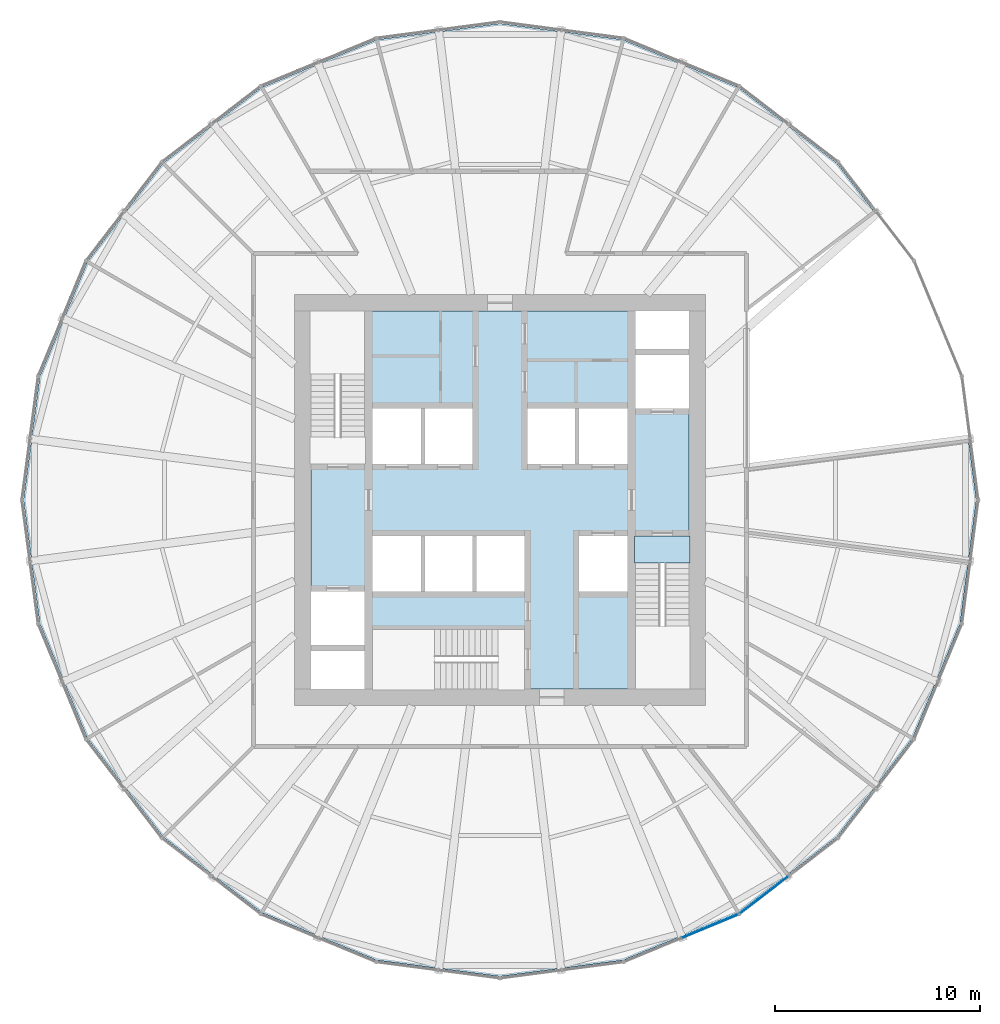
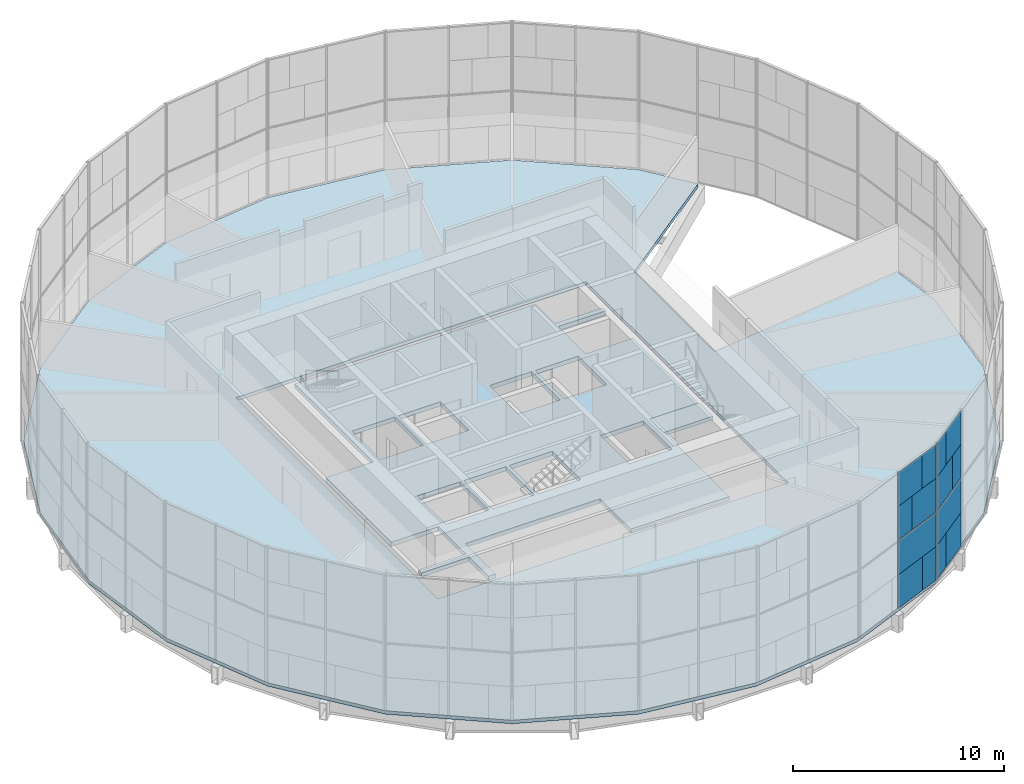
# One storey, part 11 of 18: 14 plates, 3 slabs, 2 elements without a shape of their own.
"""IFC4 building model written with IfcOpenShell, lengths in metres."""

from ifc_helpers import new_model, si_unit, direction, frame, origin, origin_2d, place, context, subcontext, project, spatial, polyline, rectangle, outline, extrude, material, layer, layer_set, type_object, element, aggregate, save


model = new_model("IFC4")

# Units and contexts
model_context = context("Model", 3, precision=1e-05, world=origin(), true_north=direction((0.0, 1.0)))
body_context = subcontext(model_context, "Body", "Model", "MODEL_VIEW")
ifc_project = project(units=[si_unit("LENGTHUNIT", "METRE"), si_unit("AREAUNIT", "SQUARE_METRE"), si_unit("VOLUMEUNIT", "CUBIC_METRE"), si_unit("PLANEANGLEUNIT", "RADIAN"), si_unit("MASSUNIT", "GRAM", prefix="KILO")], contexts=[model_context])

# Site, building, storey
site_placement = place(None, origin())
site = spatial("IfcSite", under=ifc_project, at=site_placement, CompositionType="ELEMENT")
building_placement = place(site_placement, origin())
building = spatial("IfcBuilding", under=site, at=building_placement, Name="Golbaran Civic Tower", CompositionType="ELEMENT")
storey_placement = place(building_placement, frame((0.0, 0.0, 45.0)))
storey = spatial("IfcBuildingStorey", under=building, at=storey_placement, Name="L10", CompositionType="ELEMENT", Elevation=45.0)

# Slabs
ifc_material_1 = material(Name="Concrete LC30/33 lightweight on steel deck", Category="concrete")
ifc_layer_1 = layer(ifc_material_1, 0.199951171875, Name="Concrete LC30/33 lightweight on steel deck")
ifc_layer_set_1 = layer_set([ifc_layer_1], Name="Concrete LC30/33 lightweight on steel deck")
slab_type_1 = type_object("IfcSlabType", Name="COMPOSITE FLOOR SLAB 200", PredefinedType="FLOOR", material=ifc_layer_set_1)
slab_1_placement = place(storey_placement, frame((0.0, 0.0, -0.199951171875)))
element("IfcSlab", 1, at=slab_1_placement, inside=storey, type_object=slab_type_1, Name="Floor slab L10", PredefinedType="FLOOR", context=body_context, shape_type="SweptSolid", body=[
    extrude(outline(polyline([(16.39794921875, -16.39794921875), (11.59521484375, -20.08349609375), (6.002197265625, -22.400146484375), (0.0, -23.1904296875), (-6.002197265625, -22.400146484375), (-11.59521484375, -20.08349609375), (-16.39794921875, -16.39794921875), (-20.08349609375, -11.59521484375), (-22.400146484375, -6.002197265625), (-23.1904296875, 0.0), (-22.400146484375, 6.002197265625), (-20.08349609375, 11.59521484375), (-16.39794921875, 16.39794921875), (-11.59521484375, 20.08349609375), (-6.002197265625, 22.400146484375), (0.0, 23.1904296875), (6.002197265625, 22.400146484375), (11.59521484375, 20.08349609375), (16.39794921875, 16.39794921875), (18.264892578125, 13.965087890625), (12.0, 9.175048828125), (12.0, 1.558837890625), (22.80029296875, 2.961669921875), (23.1904296875, 0.0), (22.400146484375, -6.002197265625), (20.08349609375, -11.59521484375), (16.39794921875, -16.39794921875)]), holes=[polyline([(-9.60009765625, -9.60009765625), (9.60009765625, -9.60009765625), (9.60009765625, 9.60009765625), (-9.60009765625, 9.60009765625), (-9.60009765625, -9.60009765625)])]), origin(), (0.0, 0.0, 1.0), 0.199951171875),
])
ifc_material_2 = material(Name="Concrete C35/45", Category="concrete")
ifc_layer_2 = layer(ifc_material_2, 0.25, Name="Concrete C35/45")
ifc_layer_set_2 = layer_set([ifc_layer_2], Name="Concrete C35/45")
slab_type_2 = type_object("IfcSlabType", Name="CORE FLOOR SLAB 250", PredefinedType="FLOOR", material=ifc_layer_set_2)
slab_2_placement = place(storey_placement, frame((0.0, 0.0, -0.25)))
element("IfcSlab", 2, at=slab_2_placement, inside=storey, type_object=slab_type_2, Name="Core floor slab L10", PredefinedType="FLOOR", context=body_context, shape_type="SweptSolid", body=[
    extrude(outline(polyline([(6.60009765625, -1.75), (6.60009765625, -9.199951171875), (1.199951171875, -9.199951171875), (1.199951171875, -6.300048828125), (-6.199951171875, -6.300048828125), (-6.199951171875, -9.199951171875), (-6.60009765625, -9.199951171875), (-6.60009765625, -7.35009765625), (-9.199951171875, -7.35009765625), (-9.199951171875, -7.050048828125), (-6.60009765625, -7.050048828125), (-6.60009765625, -4.449951171875), (-9.199951171875, -4.449951171875), (-9.199951171875, 1.75), (-6.60009765625, 1.75), (-6.60009765625, 9.199951171875), (6.60009765625, 9.199951171875), (6.60009765625, 7.35009765625), (9.199951171875, 7.35009765625), (9.199951171875, 7.050048828125), (6.60009765625, 7.050048828125), (6.60009765625, 4.449951171875), (9.199951171875, 4.449951171875), (9.199951171875, -1.75), (6.60009765625, -1.75)]), holes=[polyline([(6.199951171875, -1.75), (3.85009765625, -1.75), (3.85009765625, -4.449951171875), (6.199951171875, -4.449951171875), (6.199951171875, -1.75)]), polyline([(6.199951171875, 4.449951171875), (3.85009765625, 4.449951171875), (3.85009765625, 1.75), (6.199951171875, 1.75), (6.199951171875, 4.449951171875)]), polyline([(3.64990234375, 4.449951171875), (1.35009765625, 4.449951171875), (1.35009765625, 1.75), (3.64990234375, 1.75), (3.64990234375, 4.449951171875)]), polyline([(1.199951171875, -1.75), (-1.14990234375, -1.75), (-1.14990234375, -4.449951171875), (1.199951171875, -4.449951171875), (1.199951171875, -1.75)]), polyline([(-1.35009765625, 4.449951171875), (-3.64990234375, 4.449951171875), (-3.64990234375, 1.75), (-1.35009765625, 1.75), (-1.35009765625, 4.449951171875)]), polyline([(-1.35009765625, -1.75), (-3.64990234375, -1.75), (-3.64990234375, -4.449951171875), (-1.35009765625, -4.449951171875), (-1.35009765625, -1.75)]), polyline([(-3.85009765625, -1.75), (-6.199951171875, -1.75), (-6.199951171875, -4.449951171875), (-3.85009765625, -4.449951171875), (-3.85009765625, -1.75)]), polyline([(-3.85009765625, 4.449951171875), (-6.199951171875, 4.449951171875), (-6.199951171875, 1.75), (-3.85009765625, 1.75), (-3.85009765625, 4.449951171875)])]), origin(), (0.0, 0.0, 1.0), 0.25),
])

# Curtain wall, plates
ifc_material_3 = material(Name="Aluminium and glass", Category="aluminium")
curtain_wall_type = type_object("IfcCurtainWallType", Name="INNER SKIN CURTAIN WALL", PredefinedType="NOTDEFINED", material=ifc_material_3)
curtain_wall_1_placement = place(storey_placement, origin())
curtain_wall_1 = element("IfcCurtainWall", 3, at=curtain_wall_1_placement, inside=storey, type_object=curtain_wall_type, Name="Inner skin L10 facet 20 CW1", ObjectType="INNER SKIN", PredefinedType="USERDEFINED")
ifc_material_4 = material(Name="Clear insulating glass", Category="glass")
ifc_layer_3 = layer(ifc_material_4, 0.031982421875, Name="Clear insulating glass")
ifc_layer_set_3 = layer_set([ifc_layer_3], Name="Clear insulating glass")
plate_type_1 = type_object("IfcPlateType", Name="INNER SKIN CURTAIN WALL GLAZED PANEL", PredefinedType="CURTAIN_PANEL", material=ifc_layer_set_3)
plate_1_placement = place(storey_placement, frame((11.086181640625, -20.380859375, 0.06494140625), z_axis=(0.0, 0.0, 1.0), x_axis=(0.923879532451, 0.38268343251, 0.0)))
plate_1 = element("IfcPlate", 4, at=plate_1_placement, type_object=plate_type_1, Name="CW1 panel 2.1 part 2", PredefinedType="CURTAIN_PANEL", context=body_context, shape_type="SweptSolid", body=[
    extrude(rectangle(XDim=1.05908203125, YDim=0.031982421875, at=origin_2d()), origin(), (0.0, 0.0, 1.0), 1.951171875),
])
plate_2_placement = place(storey_placement, frame((9.359130859375, -21.09619140625, 4.032470703125), z_axis=(0.0, 0.0, 1.0), x_axis=(0.923879532451, 0.38268343251, 0.0)))
plate_2 = element("IfcPlate", 5, at=plate_2_placement, type_object=plate_type_1, Name="CW1 panel 2.2 part 1", PredefinedType="CURTAIN_PANEL", context=body_context, shape_type="SweptSolid", body=[
    extrude(rectangle(XDim=1.08203125, YDim=0.031982421875, at=origin_2d()), origin(), (0.0, 0.0, 1.0), 1.951171875),
])
plate_3_placement = place(storey_placement, frame((9.717041015625, -20.947998046875, 5.98388671875), z_axis=(0.0, 0.0, 1.0), x_axis=(0.923879532451, 0.38268343251, 0.0)))
plate_3 = element("IfcPlate", 6, at=plate_3_placement, type_object=plate_type_1, Name="CW1 panel 2.2 part 3", PredefinedType="CURTAIN_PANEL", context=body_context, shape_type="SweptSolid", body=[
    extrude(rectangle(XDim=1.85693359375, YDim=0.031982421875, at=origin_2d()), origin(), (0.0, 0.0, 1.0), 1.951171875),
])

curtain_wall_2_placement = place(storey_placement, origin())
curtain_wall_2 = element("IfcCurtainWall", 7, at=curtain_wall_2_placement, inside=storey, type_object=curtain_wall_type, Name="Inner skin L10 facet 21 CW1", ObjectType="INNER SKIN", PredefinedType="USERDEFINED")
plate_4_placement = place(storey_placement, frame((12.107177734375, -19.791259765625, 0.06494140625), z_axis=(0.0, 0.0, 1.0), x_axis=(0.793353340334, 0.608761428953, 0.0)))
plate_4 = element("IfcPlate", 8, at=plate_4_placement, type_object=plate_type_1, Name="CW1 panel 1.1 part 1", PredefinedType="CURTAIN_PANEL", context=body_context, shape_type="SweptSolid", body=[
    extrude(rectangle(XDim=1.05908203125, YDim=0.031982421875, at=origin_2d()), origin(), (0.0, 0.0, 1.0), 1.951171875),
])
plate_5_placement = place(storey_placement, frame((13.59033203125, -18.6533203125, 4.032470703125), z_axis=(0.0, 0.0, 1.0), x_axis=(0.793353340334, 0.608761428953, 0.0)))
plate_5 = element("IfcPlate", 9, at=plate_5_placement, type_object=plate_type_1, Name="CW1 panel 1.2 part 2", PredefinedType="CURTAIN_PANEL", context=body_context, shape_type="SweptSolid", body=[
    extrude(rectangle(XDim=1.08203125, YDim=0.031982421875, at=origin_2d()), origin(), (0.0, 0.0, 1.0), 1.951171875),
])
plate_6_placement = place(storey_placement, frame((13.282958984375, -18.88916015625, 5.98388671875), z_axis=(0.0, 0.0, 1.0), x_axis=(0.793353340334, 0.608761428953, 0.0)))
plate_6 = element("IfcPlate", 10, at=plate_6_placement, type_object=plate_type_1, Name="CW1 panel 1.2 part 4", PredefinedType="CURTAIN_PANEL", context=body_context, shape_type="SweptSolid", body=[
    extrude(rectangle(XDim=1.85693359375, YDim=0.031982421875, at=origin_2d()), origin(), (0.0, 0.0, 1.0), 1.951171875),
])

# Plate
ifc_material_5 = material(Name="Aluminium faced opaque infill panel", Category="aluminium")
ifc_layer_4 = layer(ifc_material_5, 0.031982421875, Name="Aluminium faced opaque infill panel")
ifc_layer_set_4 = layer_set([ifc_layer_4], Name="Aluminium faced opaque infill panel")
plate_type_2 = type_object("IfcPlateType", Name="INNER SKIN CURTAIN WALL OPAQUE INFILL PANEL", PredefinedType="CURTAIN_PANEL", material=ifc_layer_set_4)
plate_7_placement = place(storey_placement, frame((9.728271484375, -20.943359375, 0.06494140625), z_axis=(0.0, 0.0, 1.0), x_axis=(0.923879532451, 0.38268343251, 0.0)))
plate_7 = element("IfcPlate", 11, at=plate_7_placement, type_object=plate_type_2, Name="CW1 infill panel 2.1 part 1", PredefinedType="CURTAIN_PANEL", context=body_context, shape_type="SweptSolid", body=[
    extrude(rectangle(XDim=1.881103515625, YDim=0.031982421875, at=origin_2d()), origin(), (0.0, 0.0, 1.0), 1.951171875),
])

plate_8_placement = place(storey_placement, frame((10.21728515625, -20.74072265625, 2.016357421875), z_axis=(0.0, 0.0, 1.0), x_axis=(0.923879532451, 0.38268343251, 0.0)))
plate_8 = element("IfcPlate", 12, at=plate_8_placement, type_object=plate_type_2, Name="CW1 infill panel 2.1 part 3", PredefinedType="CURTAIN_PANEL", context=body_context, shape_type="SweptSolid", body=[
    extrude(rectangle(XDim=2.93994140625, YDim=0.031982421875, at=origin_2d()), origin(), (0.0, 0.0, 1.0), 1.951171875),
])

plate_9_placement = place(storey_placement, frame((10.71728515625, -20.53369140625, 4.032470703125), z_axis=(0.0, 0.0, 1.0), x_axis=(0.923879532451, 0.38268343251, 0.0)))
plate_9 = element("IfcPlate", 13, at=plate_9_placement, type_object=plate_type_2, Name="CW1 infill panel 2.2 part 2", PredefinedType="CURTAIN_PANEL", context=body_context, shape_type="SweptSolid", body=[
    extrude(rectangle(XDim=1.85791015625, YDim=0.031982421875, at=origin_2d()), origin(), (0.0, 0.0, 1.0), 1.951171875),
])

plate_10_placement = place(storey_placement, frame((11.0751953125, -20.38525390625, 5.98388671875), z_axis=(0.0, 0.0, 1.0), x_axis=(0.923879532451, 0.38268343251, 0.0)))
plate_10 = element("IfcPlate", 14, at=plate_10_placement, type_object=plate_type_2, Name="CW1 infill panel 2.2 part 4", PredefinedType="CURTAIN_PANEL", context=body_context, shape_type="SweptSolid", body=[
    extrude(rectangle(XDim=1.0830078125, YDim=0.031982421875, at=origin_2d()), origin(), (0.0, 0.0, 1.0), 1.951171875),
])

aggregate(curtain_wall_1, [plate_7, plate_1, plate_8, plate_2, plate_9, plate_3, plate_10])

plate_11_placement = place(storey_placement, frame((13.2734375, -18.896484375, 0.06494140625), z_axis=(0.0, 0.0, 1.0), x_axis=(0.793353340334, 0.608761428953, 0.0)))
plate_11 = element("IfcPlate", 15, at=plate_11_placement, type_object=plate_type_2, Name="CW1 infill panel 1.1 part 2", PredefinedType="CURTAIN_PANEL", context=body_context, shape_type="SweptSolid", body=[
    extrude(rectangle(XDim=1.880859375, YDim=0.031982421875, at=origin_2d()), origin(), (0.0, 0.0, 1.0), 1.951171875),
])

plate_12_placement = place(storey_placement, frame((12.853271484375, -19.21875, 2.016357421875), z_axis=(0.0, 0.0, 1.0), x_axis=(0.793353340334, 0.608761428953, 0.0)))
plate_12 = element("IfcPlate", 16, at=plate_12_placement, type_object=plate_type_2, Name="CW1 infill panel 1.1 part 3", PredefinedType="CURTAIN_PANEL", context=body_context, shape_type="SweptSolid", body=[
    extrude(rectangle(XDim=2.93994140625, YDim=0.031982421875, at=origin_2d()), origin(), (0.0, 0.0, 1.0), 1.951171875),
])

plate_13_placement = place(storey_placement, frame((12.424072265625, -19.548095703125, 4.032470703125), z_axis=(0.0, 0.0, 1.0), x_axis=(0.793353340334, 0.608761428953, 0.0)))
plate_13 = element("IfcPlate", 17, at=plate_13_placement, type_object=plate_type_2, Name="CW1 infill panel 1.2 part 1", PredefinedType="CURTAIN_PANEL", context=body_context, shape_type="SweptSolid", body=[
    extrude(rectangle(XDim=1.85791015625, YDim=0.031982421875, at=origin_2d()), origin(), (0.0, 0.0, 1.0), 1.951171875),
])

plate_14_placement = place(storey_placement, frame((12.11669921875, -19.7841796875, 5.98388671875), z_axis=(0.0, 0.0, 1.0), x_axis=(0.793353340334, 0.608761428953, 0.0)))
plate_14 = element("IfcPlate", 18, at=plate_14_placement, type_object=plate_type_2, Name="CW1 infill panel 1.2 part 3", PredefinedType="CURTAIN_PANEL", context=body_context, shape_type="SweptSolid", body=[
    extrude(rectangle(XDim=1.0830078125, YDim=0.031982421875, at=origin_2d()), origin(), (0.0, 0.0, 1.0), 1.951171875),
])

aggregate(curtain_wall_2, [plate_4, plate_11, plate_12, plate_13, plate_5, plate_14, plate_6])

# Slab
ifc_layer_5 = layer(ifc_material_2, 0.199951171875, Name="Concrete C35/45")
ifc_layer_set_5 = layer_set([ifc_layer_5], Name="Concrete C35/45")
slab_type_3 = type_object("IfcSlabType", Name="STAIR LANDING 200", PredefinedType="LANDING", material=ifc_layer_set_5)
slab_3_placement = place(storey_placement, frame((0.0, 0.0, -0.199951171875)))
element("IfcSlab", 19, at=slab_3_placement, inside=storey, type_object=slab_type_3, Name="Stair S2 floor landing L10", PredefinedType="LANDING", context=body_context, shape_type="SweptSolid", body=[
    extrude(outline(polyline([(9.25, -1.75), (9.25, -3.054931640625), (6.550048828125, -3.054931640625), (6.550048828125, -1.75), (9.25, -1.75)])), origin(), (0.0, 0.0, 1.0), 0.199951171875),
])

save(model, "model.ifc")
